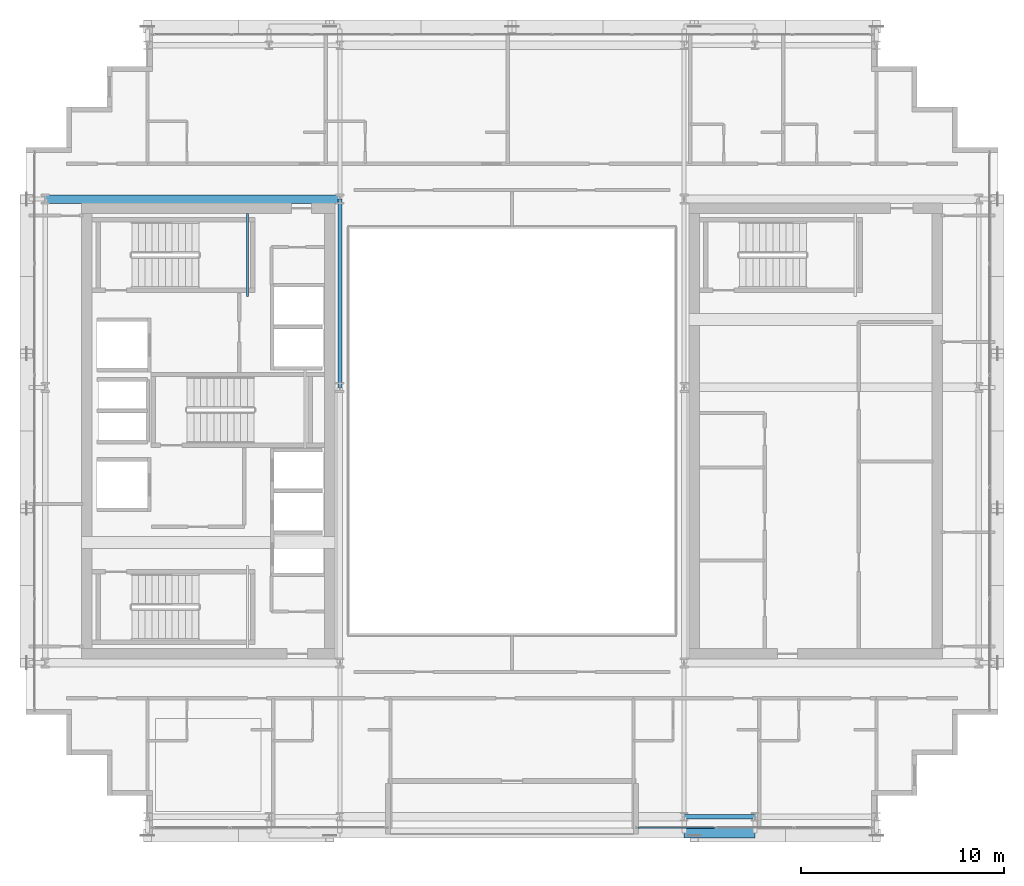
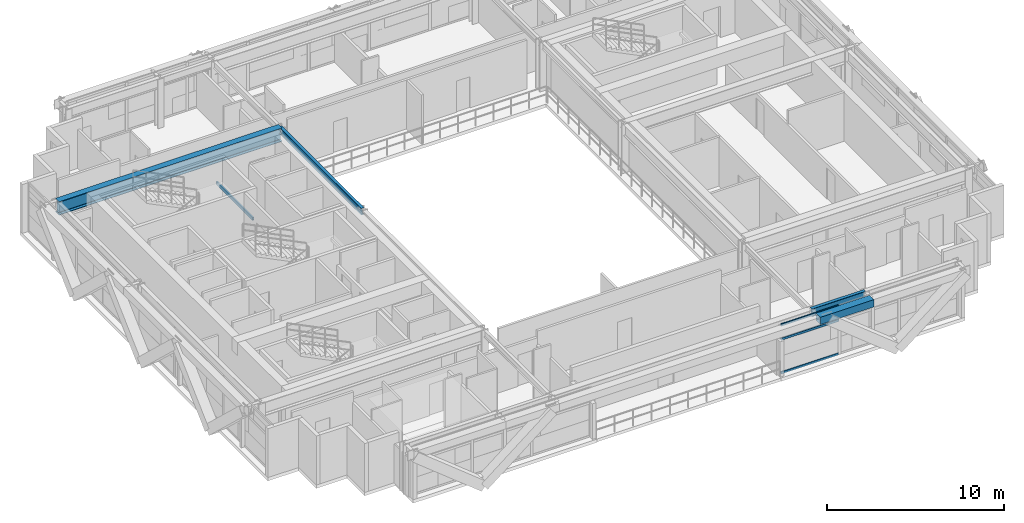
# One storey, part 9 of 32: 5 beams, 3 members, 1 element without a shape of its own.
"""IFC4 building model written with IfcOpenShell, lengths in metres."""

from ifc_helpers import new_model, si_unit, direction, frame, origin, origin_2d, place, context, subcontext, project, spatial, hollow_rectangle, i_section, extrude, source, transform, mapped, material, layer, layer_set, material_profile, profile_set, type_object, element, aggregate, save


model = new_model("IFC4")

# Units and contexts
model_context = context("Model", 3, precision=1e-05, world=origin(), true_north=direction((0.0, 1.0)))
body_context = subcontext(model_context, "Body", "Model", "MODEL_VIEW")
ifc_project = project(units=[si_unit("LENGTHUNIT", "METRE"), si_unit("AREAUNIT", "SQUARE_METRE"), si_unit("VOLUMEUNIT", "CUBIC_METRE"), si_unit("PLANEANGLEUNIT", "RADIAN"), si_unit("MASSUNIT", "GRAM", prefix="KILO")], contexts=[model_context])

# Site, building, storey
site_placement = place(None, origin())
site = spatial("IfcSite", under=ifc_project, at=site_placement, CompositionType="ELEMENT")
building_placement = place(site_placement, origin())
building = spatial("IfcBuilding", under=site, at=building_placement, Name="Ocotamira Hotel", CompositionType="ELEMENT")
storey_placement = place(building_placement, frame((0.0, 0.0, 177.60009765625)))
storey = spatial("IfcBuildingStorey", under=building, at=storey_placement, Name="L44", CompositionType="ELEMENT", Elevation=177.60009765625)

# Beams
ifc_material_1 = material(Name="Steel ASTM A500 Grade C", Category="steel")
ifc_material_profile_1 = material_profile(ifc_material_1, hollow_rectangle(XDim=0.10009765625, YDim=0.199951171875, WallThickness=0.008056640625, at=origin_2d()), Name="HSS200X100X8")
ifc_profile_set_1 = profile_set([ifc_material_profile_1], Name="Steel ASTM A500 Grade C")
beam_type_1 = type_object("IfcBeamType", Name="BM-STLDG-HSS200", PredefinedType="BEAM", material=ifc_profile_set_1)
shared_shape_1 = source(origin(), body_context, "Body", "SweptSolid", [
    extrude(hollow_rectangle(XDim=0.10009765625, YDim=0.199951171875, WallThickness=0.008056640625, at=origin_2d()), origin(), (0.0, 0.0, 1.0), 4.1201171875),
])
beam_1_placement = place(storey_placement, frame((18.949951171875, 32.6298828125, 1.5), z_axis=(0.0, 1.0, 0.0), x_axis=(-1.0, 0.0, 0.0)))
element("IfcBeam", 1, at=beam_1_placement, inside=storey, type_object=beam_type_1, Name="L44 Stair ST-2 Landing Bearer 1", PredefinedType="BEAM", context=body_context, shape_type="MappedRepresentation", body=[
    mapped(shared_shape_1, transform((0.0, 0.0, 0.0), scale=1.0)),
])
ifc_material_2 = material(Name="Steel ASTM A992 Grade 50", Category="steel")
ifc_material_profile_2 = material_profile(ifc_material_2, i_section(OverallWidth=0.41796875, OverallDepth=0.927001953125, WebThickness=0.019287109375, FlangeThickness=0.031982421875, FilletRadius=0.02392578125, at=origin_2d()), Name="W36X231")
ifc_profile_set_2 = profile_set([ifc_material_profile_2], Name="Steel ASTM A992 Grade 50")
beam_type_2 = type_object("IfcBeamType", Name="BM-GIRD-W36X231", PredefinedType="BEAM", material=ifc_profile_set_2)
shared_shape_2 = source(origin(), body_context, "Body", "SweptSolid", [
    extrude(i_section(OverallWidth=0.41796875, OverallDepth=0.927001953125, WebThickness=0.019287109375, FlangeThickness=0.031982421875, FilletRadius=0.02392578125, at=origin_2d()), origin(), (0.0, 0.0, 1.0), 14.550048828125),
])
beam_2_placement = place(storey_placement, frame((8.949951171875, 37.449951171875, 2.906494140625), z_axis=(1.0, 0.0, 0.0), x_axis=(0.0, 1.0, 0.0)))
element("IfcBeam", 2, at=beam_2_placement, inside=storey, type_object=beam_type_2, Name="L44 Girder Y37.45 X8.95-23.5", PredefinedType="BEAM", context=body_context, shape_type="MappedRepresentation", body=[
    mapped(shared_shape_2, transform((0.0, 0.0, 0.0), scale=1.0)),
])
ifc_material_profile_3 = material_profile(ifc_material_2, i_section(OverallWidth=0.2099609375, OverallDepth=0.537109375, WebThickness=0.010986328125, FlangeThickness=0.017333984375, FilletRadius=0.012939453125, at=origin_2d()), Name="W21X68")
ifc_profile_set_3 = profile_set([ifc_material_profile_3], Name="Steel ASTM A992 Grade 50")
beam_type_3 = type_object("IfcBeamType", Name="BM-SEC-W21X68", PredefinedType="JOIST", material=ifc_profile_set_3)
shared_shape_3 = source(origin(), body_context, "Body", "SweptSolid", [
    extrude(i_section(OverallWidth=0.2099609375, OverallDepth=0.537109375, WebThickness=0.010986328125, FlangeThickness=0.017333984375, FilletRadius=0.012939453125, at=origin_2d()), origin(), (0.0, 0.0, 1.0), 3.5),
])
beam_3_placement = place(storey_placement, frame((40.5, 6.949951171875, 3.101318359375), z_axis=(1.0, 0.0, 0.0), x_axis=(0.0, 1.0, 0.0)))
element("IfcBeam", 3, at=beam_3_placement, inside=storey, type_object=beam_type_3, Name="L44 Girder Y6.95 X40.5-44", PredefinedType="JOIST", context=body_context, shape_type="MappedRepresentation", body=[
    mapped(shared_shape_3, transform((0.0, 0.0, 0.0), scale=1.0)),
])
ifc_material_profile_4 = material_profile(ifc_material_2, i_section(OverallWidth=0.18994140625, OverallDepth=0.45703125, WebThickness=0.009033203125, FlangeThickness=0.014404296875, FilletRadius=0.010009765625, at=origin_2d()), Name="W18X50")
ifc_profile_set_4 = profile_set([ifc_material_profile_4], Name="Steel ASTM A992 Grade 50")
beam_type_4 = type_object("IfcBeamType", Name="BM-SEC-W18X50", PredefinedType="JOIST", material=ifc_profile_set_4)
shared_shape_4 = source(origin(), body_context, "Body", "SweptSolid", [
    extrude(i_section(OverallWidth=0.18994140625, OverallDepth=0.45703125, WebThickness=0.009033203125, FlangeThickness=0.014404296875, FilletRadius=0.010009765625, at=origin_2d()), origin(), (0.0, 0.0, 1.0), 9.300048828125),
])
beam_4_placement = place(storey_placement, frame((23.5, 28.14990234375, 3.141357421875), z_axis=(0.0, 1.0, 0.0), x_axis=(-1.0, 0.0, 0.0)))
element("IfcBeam", 4, at=beam_4_placement, inside=storey, type_object=beam_type_4, Name="L44 Beam X23.5 Y28.15-37.45", PredefinedType="JOIST", context=body_context, shape_type="MappedRepresentation", body=[
    mapped(shared_shape_4, transform((0.0, 0.0, 0.0), scale=1.0)),
])
ifc_material_profile_5 = material_profile(ifc_material_1, hollow_rectangle(XDim=0.5, YDim=0.5, WallThickness=0.02001953125, at=origin_2d()), Name="HSS500X500X20")
ifc_profile_set_5 = profile_set([ifc_material_profile_5], Name="Steel ASTM A500 Grade C")
beam_type_5 = type_object("IfcBeamType", Name="BM-SPAN-HSS500", PredefinedType="USERDEFINED", material=ifc_profile_set_5)
shared_shape_5 = source(origin(), body_context, "Body", "SweptSolid", [
    extrude(hollow_rectangle(XDim=0.5, YDim=0.5, WallThickness=0.02001953125, at=origin_2d()), origin(), (0.0, 0.0, 1.0), 3.5),
])
beam_5_placement = place(storey_placement, frame((40.5, 6.14990234375, 3.119873046875), z_axis=(1.0, 0.0, 0.0), x_axis=(0.0, 1.0, 0.0)))
element("IfcBeam", 5, at=beam_5_placement, inside=storey, type_object=beam_type_5, Name="L44 Edge Spandrel S X40.5-44", ObjectType="SPANDREL", PredefinedType="USERDEFINED", context=body_context, shape_type="MappedRepresentation", body=[
    mapped(shared_shape_5, transform((0.0, 0.0, 0.0), scale=1.0)),
])

# Curtain wall, members
ifc_material_3 = material(Name="Anodised pale-metal aluminium and solar glass", Category="aluminium")
ifc_layer = layer(ifc_material_3, 0.199951171875)
ifc_layer_set = layer_set([ifc_layer], Name="Anodised pale-metal aluminium and solar glass")
curtain_wall_type = type_object("IfcCurtainWallType", Name="CW-SYS4-Z3", PredefinedType="NOTDEFINED", material=ifc_layer_set)
curtain_wall_placement = place(storey_placement, origin())
curtain_wall = element("IfcCurtainWall", 6, at=curtain_wall_placement, inside=storey, type_object=curtain_wall_type, Name="L44 Curtain Wall CW-4 CW-L44-S2", PredefinedType="NOTDEFINED")
ifc_material_4 = material(Name="Anodised pale-metal aluminium 6063-T6", Category="aluminium")
ifc_material_profile_6 = material_profile(ifc_material_4, hollow_rectangle(XDim=0.074951171875, YDim=0.14990234375, WallThickness=0.006103515625, at=origin_2d()), Name="HSS150X75X6")
ifc_profile_set_6 = profile_set([ifc_material_profile_6], Name="Anodised pale-metal aluminium 6063-T6")
member_type = type_object("IfcMemberType", Name="CWT-150X75", PredefinedType="USERDEFINED", material=ifc_profile_set_6)
shared_shape_6 = source(origin(), body_context, "Body", "SweptSolid", [
    extrude(hollow_rectangle(XDim=0.074951171875, YDim=0.14990234375, WallThickness=0.006103515625, at=origin_2d()), origin(), (0.0, 0.0, 1.0), 3.763427734375),
])
member_1_placement = place(storey_placement, frame((38.22998046875, 6.419921875, 0.037353515625), z_axis=(1.0, 0.0, 0.0), x_axis=(0.0, 1.0, 0.0)))
member_1 = element("IfcMember", 7, at=member_1_placement, type_object=member_type, Name="CW-4 transom 1.1", ObjectType="TRANSOM", PredefinedType="USERDEFINED", context=body_context, shape_type="MappedRepresentation", body=[
    mapped(shared_shape_6, transform((0.0, 0.0, 0.0), scale=1.0)),
])
member_2_placement = place(storey_placement, frame((38.22998046875, 6.419921875, 2.349853515625), z_axis=(1.0, 0.0, 0.0), x_axis=(0.0, 1.0, 0.0)))
member_2 = element("IfcMember", 8, at=member_2_placement, type_object=member_type, Name="CW-4 transom 1.2", ObjectType="TRANSOM", PredefinedType="USERDEFINED", context=body_context, shape_type="MappedRepresentation", body=[
    mapped(shared_shape_6, transform((0.0, 0.0, 0.0), scale=1.0)),
])
member_3_placement = place(storey_placement, frame((38.22998046875, 6.419921875, 3.33251953125), z_axis=(1.0, 0.0, 0.0), x_axis=(0.0, 1.0, 0.0)))
member_3 = element("IfcMember", 9, at=member_3_placement, type_object=member_type, Name="CW-4 transom 1.3", ObjectType="TRANSOM", PredefinedType="USERDEFINED", context=body_context, shape_type="MappedRepresentation", body=[
    mapped(shared_shape_6, transform((0.0, 0.0, 0.0), scale=1.0)),
])
aggregate(curtain_wall, [member_1, member_2, member_3])

save(model, "model.ifc")
